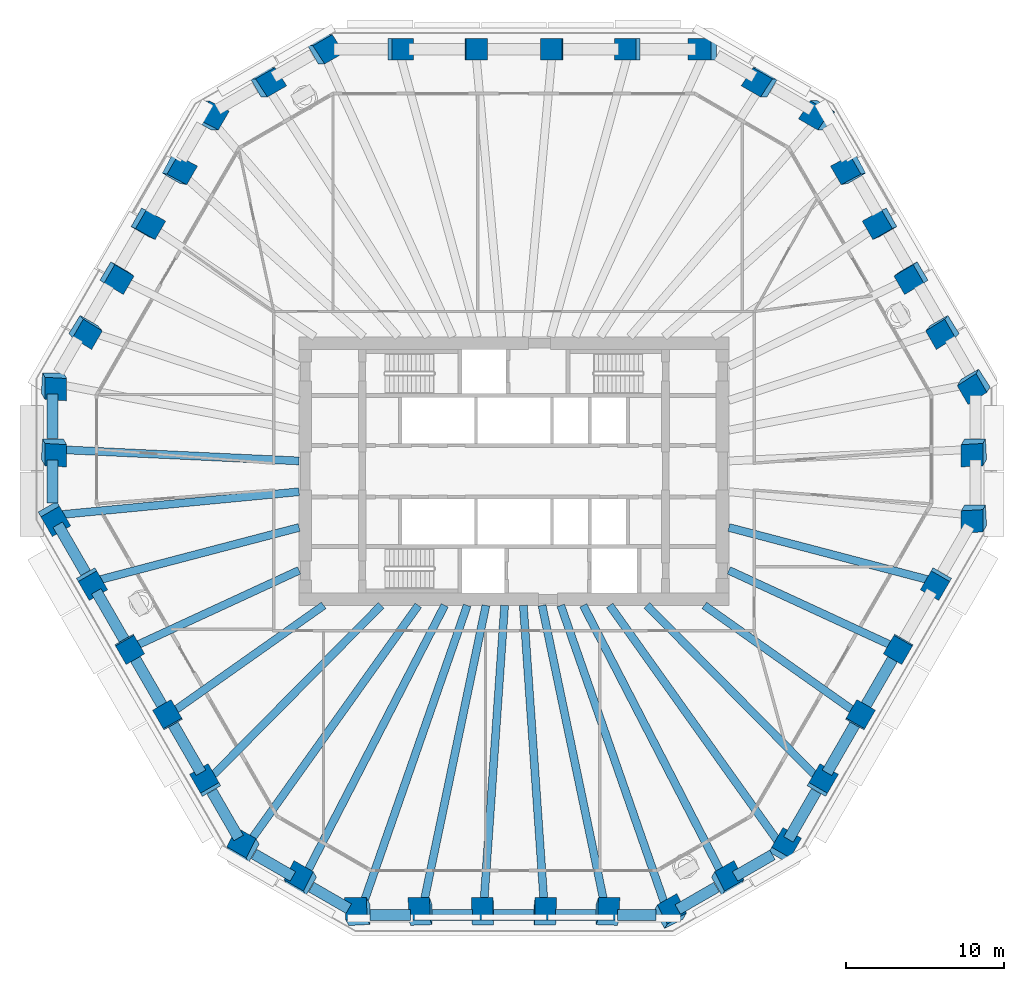
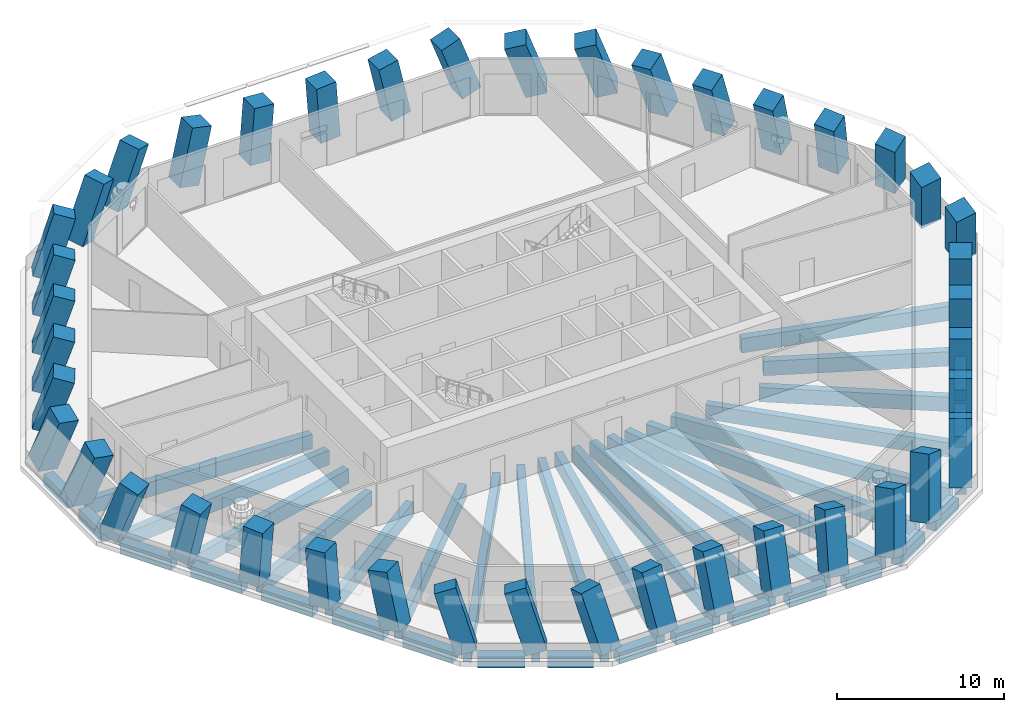
# One storey, part 1 of 12: 42 columns, 39 beams.
"""IFC4 building model written with IfcOpenShell, lengths in metres."""

from ifc_helpers import new_model, si_unit, direction, frame, origin, origin_2d, place, context, subcontext, project, spatial, rectangle, extrude, material, material_profile, profile_set, type_object, element, save


model = new_model("IFC4")

# Units and contexts
model_context = context("Model", 3, precision=1e-05, world=origin(), true_north=direction((0.0, 1.0)))
body_context = subcontext(model_context, "Body", "Model", "MODEL_VIEW")
ifc_project = project(units=[si_unit("LENGTHUNIT", "METRE"), si_unit("AREAUNIT", "SQUARE_METRE"), si_unit("VOLUMEUNIT", "CUBIC_METRE"), si_unit("PLANEANGLEUNIT", "RADIAN"), si_unit("MASSUNIT", "GRAM", prefix="KILO")], contexts=[model_context])

# Site, building, storey
site_placement = place(None, origin())
site = spatial("IfcSite", under=ifc_project, at=site_placement, CompositionType="ELEMENT")
building_placement = place(site_placement, origin())
building = spatial("IfcBuilding", under=site, at=building_placement, Name="Frailejon Research Tower", CompositionType="ELEMENT")
storey_placement = place(building_placement, frame((0.0, 0.0, 135.199951171875)))
storey = spatial("IfcBuildingStorey", under=building, at=storey_placement, Name="L29", CompositionType="ELEMENT", Elevation=135.199951171875)

# Columns
ifc_material_1 = material(Name="Concrete C70/85", Category="concrete")
ifc_material_profile_1 = material_profile(ifc_material_1, rectangle(XDim=1.35009765625, YDim=1.35009765625, at=origin_2d()), Name="Column 1350")
ifc_profile_set_1 = profile_set([ifc_material_profile_1], Name="Concrete C70/85")
column_type = type_object("IfcColumnType", Name="Column 1350", PredefinedType="COLUMN", material=ifc_profile_set_1)
for number, where, z_axis, x_axis, name in (
    (1, (29.211181640625, -2.8046875, 0.0), (-0.170585157577, -0.29544235916, 0.940007721473), (-0.052685125337, 0.955360564435, 0.290706844588), "Column C01"),
    (2, (29.211181640625, 1.3828125, 0.0), (-0.170585157577, -0.29544235916, 0.940007721473), (-0.052685125337, 0.955360564435, 0.290706844588), "Column C02"),
    (3, (29.211181640625, 5.5703125, 0.0), (-0.170588020232, -0.295390511225, 0.940023496106), (-0.536861857237, 0.827831363108, 0.162710111849), "Column C03"),
):
    element("IfcColumn", number, at=place(storey_placement, frame(where, z_axis=z_axis, x_axis=x_axis)), inside=storey, type_object=column_type, Name=name, PredefinedType="COLUMN", context=body_context, shape_type="SweptSolid", body=[
        extrude(rectangle(XDim=1.35009765625, YDim=1.35009765625, at=origin_2d()), origin(), (0.0, 0.0, 1.0), 4.2978515625),
    ])
column_1_placement = place(storey_placement, frame((27.2548828125, 8.958740234375, 0.0), z_axis=(-0.206604255639, -0.238543908815, 0.948900144967), x_axis=(-0.524107453988, 0.845931636481, 0.098544624791)))
element("IfcColumn", 4, at=column_1_placement, inside=storey, type_object=column_type, Name="Column C04", PredefinedType="COLUMN", context=body_context, shape_type="SweptSolid", body=[
    extrude(rectangle(XDim=1.35009765625, YDim=1.35009765625, at=origin_2d()), origin(), (0.0, 0.0, 1.0), 4.257568359375),
])
for number, where, z_axis, x_axis, name in (
    (5, (25.298583984375, 12.34716796875, 0.0), (-0.242216248762, -0.179760869681, 0.953423997268), (-0.508552704351, 0.860397321393, 0.033024176556), "Column C05"),
    (6, (23.34228515625, 15.735595703125, 0.0), (-0.276787116882, -0.119841216302, 0.953429061233), (-0.49068194142, 0.870713478182, -0.033004109981), "Column C06"),
):
    element("IfcColumn", number, at=place(storey_placement, frame(where, z_axis=z_axis, x_axis=x_axis)), inside=storey, type_object=column_type, Name=name, PredefinedType="COLUMN", context=body_context, shape_type="SweptSolid", body=[
        extrude(rectangle(XDim=1.35009765625, YDim=1.35009765625, at=origin_2d()), origin(), (0.0, 0.0, 1.0), 4.2373046875),
    ])
column_2_placement = place(storey_placement, frame((21.385986328125, 19.1240234375, 0.0), z_axis=(-0.309930766279, -0.059635152069, 0.948887015799), x_axis=(-0.470498954611, 0.8768780975, -0.098567417711)))
element("IfcColumn", 7, at=column_2_placement, inside=storey, type_object=column_type, Name="Column C07", PredefinedType="COLUMN", context=body_context, shape_type="SweptSolid", body=[
    extrude(rectangle(XDim=1.35009765625, YDim=1.35009765625, at=origin_2d()), origin(), (0.0, 0.0, 1.0), 4.257568359375),
])
for number, where, z_axis, x_axis, name in (
    (8, (19.4296875, 22.512451171875, 0.0), (-0.341168319262, 0.0, 0.940002222302), (-0.800987769493, 0.523358442363, -0.290713835121), "Column C08"),
    (9, (15.802978515625, 24.606201171875, 0.0), (-0.341118125037, 0.0, 0.940020438486), (-0.801003291734, 0.523358442363, -0.290671063987), "Column C09"),
    (10, (12.176513671875, 26.699951171875, 0.0), (-0.341118125037, 0.0, 0.940020438486), (-0.940020438486, 0.0, -0.341118125037), "Column C10"),
):
    element("IfcColumn", number, at=place(storey_placement, frame(where, z_axis=z_axis, x_axis=x_axis)), inside=storey, type_object=column_type, Name=name, PredefinedType="COLUMN", context=body_context, shape_type="SweptSolid", body=[
        extrude(rectangle(XDim=1.35009765625, YDim=1.35009765625, at=origin_2d()), origin(), (0.0, 0.0, 1.0), 4.2978515625),
    ])
column_3_placement = place(storey_placement, frame((7.305908203125, 26.699951171875, 0.0), z_axis=(-0.212745864356, 0.0, 0.977107566852), x_axis=(-0.977107566852, 0.0, -0.212745864356)))
element("IfcColumn", 11, at=column_3_placement, inside=storey, type_object=column_type, Name="Column C11", PredefinedType="COLUMN", context=body_context, shape_type="SweptSolid", body=[
    extrude(rectangle(XDim=1.35009765625, YDim=1.35009765625, at=origin_2d()), origin(), (0.0, 0.0, 1.0), 4.134765625),
])
for number, where, z_axis, x_axis, name in (
    (12, (2.435302734375, 26.699951171875, 0.0), (-0.07238780998, 0.0, 0.997376561268), (-0.997376561268, 0.0, -0.07238780998), "Column C12"),
    (13, (-2.435302734375, 26.699951171875, 0.0), (0.07238780998, 0.0, 0.997376561268), (-0.997376561268, 0.0, 0.07238780998), "Column C13"),
):
    element("IfcColumn", number, at=place(storey_placement, frame(where, z_axis=z_axis, x_axis=x_axis)), inside=storey, type_object=column_type, Name=name, PredefinedType="COLUMN", context=body_context, shape_type="SweptSolid", body=[
        extrude(rectangle(XDim=1.35009765625, YDim=1.35009765625, at=origin_2d()), origin(), (0.0, 0.0, 1.0), 4.060791015625),
    ])
column_4_placement = place(storey_placement, frame((-7.305908203125, 26.699951171875, 0.0), z_axis=(0.212745864356, 0.0, 0.977107566852), x_axis=(-0.977107566852, 0.0, 0.212745864356)))
element("IfcColumn", 14, at=column_4_placement, inside=storey, type_object=column_type, Name="Column C14", PredefinedType="COLUMN", context=body_context, shape_type="SweptSolid", body=[
    extrude(rectangle(XDim=1.35009765625, YDim=1.35009765625, at=origin_2d()), origin(), (0.0, 0.0, 1.0), 4.134765625),
])
for number, where, z_axis, x_axis, name in (
    (15, (-12.176513671875, 26.699951171875, 0.0), (0.341118125037, 0.0, 0.940020438486), (-0.80100500902, -0.523355467925, 0.290671687162), "Column C15"),
    (16, (-15.802978515625, 24.606201171875, 0.0), (0.341118125037, 0.0, 0.940020438486), (-0.801003291734, -0.523358442363, 0.290671063987), "Column C16"),
    (17, (-19.4296875, 22.512451171875, 0.0), (0.341168319262, 0.0, 0.940002222302), (-0.448380340539, -0.878903709295, 0.16273702715), "Column C17"),
):
    element("IfcColumn", number, at=place(storey_placement, frame(where, z_axis=z_axis, x_axis=x_axis)), inside=storey, type_object=column_type, Name=name, PredefinedType="COLUMN", context=body_context, shape_type="SweptSolid", body=[
        extrude(rectangle(XDim=1.35009765625, YDim=1.35009765625, at=origin_2d()), origin(), (0.0, 0.0, 1.0), 4.2978515625),
    ])
column_5_placement = place(storey_placement, frame((-21.385986328125, 19.1240234375, 0.0), z_axis=(0.309930766279, -0.059635152069, 0.948887015799), x_axis=(-0.470498954611, -0.8768780975, 0.098567417711)))
element("IfcColumn", 18, at=column_5_placement, inside=storey, type_object=column_type, Name="Column C18", PredefinedType="COLUMN", context=body_context, shape_type="SweptSolid", body=[
    extrude(rectangle(XDim=1.35009765625, YDim=1.35009765625, at=origin_2d()), origin(), (0.0, 0.0, 1.0), 4.257568359375),
])
for number, where, z_axis, x_axis, name in (
    (19, (-23.34228515625, 15.735595703125, 0.0), (0.276787116882, -0.119841216302, 0.953429061233), (-0.49068194142, -0.870713478182, 0.033004109981), "Column C19"),
    (20, (-25.298583984375, 12.34716796875, 0.0), (0.242216248762, -0.179760869681, 0.953423997268), (-0.508552704351, -0.860397321393, -0.033024176556), "Column C20"),
):
    element("IfcColumn", number, at=place(storey_placement, frame(where, z_axis=z_axis, x_axis=x_axis)), inside=storey, type_object=column_type, Name=name, PredefinedType="COLUMN", context=body_context, shape_type="SweptSolid", body=[
        extrude(rectangle(XDim=1.35009765625, YDim=1.35009765625, at=origin_2d()), origin(), (0.0, 0.0, 1.0), 4.2373046875),
    ])
column_6_placement = place(storey_placement, frame((-27.2548828125, 8.958740234375, 0.0), z_axis=(0.206604255639, -0.238543908815, 0.948900144967), x_axis=(-0.524107453988, -0.845931636481, -0.098544624791)))
element("IfcColumn", 21, at=column_6_placement, inside=storey, type_object=column_type, Name="Column C21", PredefinedType="COLUMN", context=body_context, shape_type="SweptSolid", body=[
    extrude(rectangle(XDim=1.35009765625, YDim=1.35009765625, at=origin_2d()), origin(), (0.0, 0.0, 1.0), 4.257568359375),
])
for number, where, z_axis, x_axis, name in (
    (22, (-29.211181640625, 5.5703125, 0.0), (0.170588020232, -0.295390511225, 0.940023496106), (-0.052628043506, -0.955376592381, -0.290664507236), "Column C22"),
    (23, (-29.211181640625, 1.3828125, 0.0), (0.170585157577, -0.29544235916, 0.940007721473), (-0.052685125337, -0.955360564435, -0.290706844588), "Column C23"),
    (24, (-29.211181640625, -2.8046875, 0.0), (0.170585157577, -0.29544235916, 0.940007721473), (0.470057714362, -0.814039471856, -0.341153167111), "Column C24"),
):
    element("IfcColumn", number, at=place(storey_placement, frame(where, z_axis=z_axis, x_axis=x_axis)), inside=storey, type_object=column_type, Name=name, PredefinedType="COLUMN", context=body_context, shape_type="SweptSolid", body=[
        extrude(rectangle(XDim=1.35009765625, YDim=1.35009765625, at=origin_2d()), origin(), (0.0, 0.0, 1.0), 4.2978515625),
    ])
column_7_placement = place(storey_placement, frame((-26.77587890625, -7.02294921875, 0.0), z_axis=(0.106402456539, -0.184226228858, 0.977107575369), x_axis=(0.488665296242, -0.846135593228, -0.212745825157)))
element("IfcColumn", 25, at=column_7_placement, inside=storey, type_object=column_type, Name="Column C25", PredefinedType="COLUMN", context=body_context, shape_type="SweptSolid", body=[
    extrude(rectangle(XDim=1.35009765625, YDim=1.35009765625, at=origin_2d()), origin(), (0.0, 0.0, 1.0), 4.134765625),
])
for number, where, z_axis, x_axis, name in (
    (26, (-24.340576171875, -11.240966796875, 0.0), (0.03619386332, -0.062707972497, 0.997375412993), (0.498665845075, -0.863765066122, -0.072403629074), "Column C26"),
    (27, (-21.9052734375, -15.458984375, 0.0), (-0.036193999713, 0.062648085882, 0.997379171489), (0.498790729762, -0.863697296382, 0.072351835683), "Column C27"),
):
    element("IfcColumn", number, at=place(storey_placement, frame(where, z_axis=z_axis, x_axis=x_axis)), inside=storey, type_object=column_type, Name=name, PredefinedType="COLUMN", context=body_context, shape_type="SweptSolid", body=[
        extrude(rectangle(XDim=1.35009765625, YDim=1.35009765625, at=origin_2d()), origin(), (0.0, 0.0, 1.0), 4.060791015625),
    ])
column_8_placement = place(storey_placement, frame((-19.469970703125, -19.677001953125, 0.0), z_axis=(-0.106344077619, 0.184227385992, 0.977113712628), x_axis=(0.488464961789, -0.846258346219, 0.21271763575)))
element("IfcColumn", 28, at=column_8_placement, inside=storey, type_object=column_type, Name="Column C28", PredefinedType="COLUMN", context=body_context, shape_type="SweptSolid", body=[
    extrude(rectangle(XDim=1.35009765625, YDim=1.35009765625, at=origin_2d()), origin(), (0.0, 0.0, 1.0), 4.134765625),
])
for number, where, z_axis, x_axis, name in (
    (29, (-17.03466796875, -23.895263671875, 0.0), (-0.170530004844, 0.295445221584, 0.940016828834), (0.853708362876, -0.432077398315, 0.29067361941), "Column C29"),
    (30, (-13.408203125, -25.989013671875, 0.0), (-0.170530004844, 0.295445221584, 0.940016828834), (0.853708362876, -0.432077398315, 0.29067361941), "Column C30"),
    (31, (-9.781494140625, -28.082763671875, 0.0), (-0.170585157577, 0.29544235916, 0.940007721473), (0.985342937257, 0.051151097258, 0.162735556185), "Column C31"),
):
    element("IfcColumn", number, at=place(storey_placement, frame(where, z_axis=z_axis, x_axis=x_axis)), inside=storey, type_object=column_type, Name=name, PredefinedType="COLUMN", context=body_context, shape_type="SweptSolid", body=[
        extrude(rectangle(XDim=1.35009765625, YDim=1.35009765625, at=origin_2d()), origin(), (0.0, 0.0, 1.0), 4.2978515625),
    ])
column_9_placement = place(storey_placement, frame((-5.868896484375, -28.082763671875, 0.0), z_axis=(-0.103272303322, 0.298233897599, 0.948889547676), x_axis=(0.994653115752, 0.030865690924, 0.09855195812)))
element("IfcColumn", 32, at=column_9_placement, inside=storey, type_object=column_type, Name="Column C32", PredefinedType="COLUMN", context=body_context, shape_type="SweptSolid", body=[
    extrude(rectangle(XDim=1.35009765625, YDim=1.35009765625, at=origin_2d()), origin(), (0.0, 0.0, 1.0), 4.257568359375),
])
for number, where, z_axis, x_axis, name in (
    (33, (-1.956298828125, -28.082763671875, 0.0), (-0.034569261171, 0.299657878914, 0.953420223085), (0.999402297158, 0.010249737548, 0.033015016516), "Column C33"),
    (34, (1.956298828125, -28.082763671875, 0.0), (0.034569261171, 0.299657878914, 0.953420223085), (0.999402297158, -0.010249737548, -0.033015016516), "Column C34"),
):
    element("IfcColumn", number, at=place(storey_placement, frame(where, z_axis=z_axis, x_axis=x_axis)), inside=storey, type_object=column_type, Name=name, PredefinedType="COLUMN", context=body_context, shape_type="SweptSolid", body=[
        extrude(rectangle(XDim=1.35009765625, YDim=1.35009765625, at=origin_2d()), origin(), (0.0, 0.0, 1.0), 4.2373046875),
    ])
column_10_placement = place(storey_placement, frame((5.868896484375, -28.082763671875, 0.0), z_axis=(0.103272303322, 0.298233897599, 0.948889547676), x_axis=(0.994653115752, -0.030865690924, -0.09855195812)))
element("IfcColumn", 35, at=column_10_placement, inside=storey, type_object=column_type, Name="Column C35", PredefinedType="COLUMN", context=body_context, shape_type="SweptSolid", body=[
    extrude(rectangle(XDim=1.35009765625, YDim=1.35009765625, at=origin_2d()), origin(), (0.0, 0.0, 1.0), 4.257568359375),
])
for number, where, z_axis, x_axis, name in (
    (36, (9.781494140625, -28.082763671875, 0.0), (0.170585157577, 0.29544235916, 0.940007721473), (0.853740167051, 0.431993664162, -0.290704663341), "Column C36"),
    (37, (13.408203125, -25.989013671875, 0.0), (0.170530004844, 0.295445221584, 0.940016828834), (0.853708362876, 0.432077398315, -0.29067361941), "Column C37"),
    (38, (17.03466796875, -23.895263671875, 0.0), (0.170530004844, 0.295445221584, 0.940016828834), (0.469944869442, 0.814115138244, -0.341128071796), "Column C38"),
):
    element("IfcColumn", number, at=place(storey_placement, frame(where, z_axis=z_axis, x_axis=x_axis)), inside=storey, type_object=column_type, Name=name, PredefinedType="COLUMN", context=body_context, shape_type="SweptSolid", body=[
        extrude(rectangle(XDim=1.35009765625, YDim=1.35009765625, at=origin_2d()), origin(), (0.0, 0.0, 1.0), 4.2978515625),
    ])
column_11_placement = place(storey_placement, frame((19.469970703125, -19.677001953125, 0.0), z_axis=(0.106344077619, 0.184227385992, 0.977113712628), x_axis=(0.488464961789, 0.846258346219, -0.21271763575)))
element("IfcColumn", 39, at=column_11_placement, inside=storey, type_object=column_type, Name="Column C39", PredefinedType="COLUMN", context=body_context, shape_type="SweptSolid", body=[
    extrude(rectangle(XDim=1.35009765625, YDim=1.35009765625, at=origin_2d()), origin(), (0.0, 0.0, 1.0), 4.134765625),
])
for number, where, z_axis, x_axis, name in (
    (40, (21.9052734375, -15.458984375, 0.0), (0.036193999713, 0.062648085882, 0.997379171489), (0.498790729762, 0.863697296382, -0.072351835683), "Column C40"),
    (41, (24.340576171875, -11.240966796875, 0.0), (-0.03619386332, -0.062707972497, 0.997375412993), (0.498665845075, 0.863765066122, 0.072403629074), "Column C41"),
):
    element("IfcColumn", number, at=place(storey_placement, frame(where, z_axis=z_axis, x_axis=x_axis)), inside=storey, type_object=column_type, Name=name, PredefinedType="COLUMN", context=body_context, shape_type="SweptSolid", body=[
        extrude(rectangle(XDim=1.35009765625, YDim=1.35009765625, at=origin_2d()), origin(), (0.0, 0.0, 1.0), 4.060791015625),
    ])
column_12_placement = place(storey_placement, frame((26.77587890625, -7.02294921875, 0.0), z_axis=(-0.106402456539, -0.184226228858, 0.977107575369), x_axis=(0.488665296242, 0.846135593228, 0.212745825157)))
element("IfcColumn", 42, at=column_12_placement, inside=storey, type_object=column_type, Name="Column C42", PredefinedType="COLUMN", context=body_context, shape_type="SweptSolid", body=[
    extrude(rectangle(XDim=1.35009765625, YDim=1.35009765625, at=origin_2d()), origin(), (0.0, 0.0, 1.0), 4.134765625),
])

# Beams
ifc_material_2 = material(Name="Concrete C60/75", Category="concrete")
ifc_material_profile_2 = material_profile(ifc_material_2, rectangle(XDim=0.5, YDim=1.050048828125, at=origin_2d()), Name="Girder 500x1050")
ifc_profile_set_2 = profile_set([ifc_material_profile_2], Name="Concrete C60/75")
beam_type_1 = type_object("IfcBeamType", Name="Girder 500x1050", PredefinedType="BEAM", material=ifc_profile_set_2)
beam_1_placement = place(storey_placement, frame((-28.685791015625, 1.35791015625, -0.824951171875), z_axis=(0.998881484069, -0.047284043646, 0.0), x_axis=(0.047284043646, 0.998881484069, 0.0)))
element("IfcBeam", 43, at=beam_1_placement, inside=storey, type_object=beam_type_1, Name="Girder 500x1050", PredefinedType="BEAM", context=body_context, shape_type="SweptSolid", body=[
    extrude(rectangle(XDim=0.5, YDim=1.050048828125, at=origin_2d()), origin(), (0.0, 0.0, 1.0), 15.1025390625),
])
beam_2_placement = place(storey_placement, frame((-28.621826171875, -2.748291015625, -0.824951171875), z_axis=(0.99542173633, 0.095580159246, 0.0), x_axis=(-0.095580159246, 0.99542173633, 0.0)))
element("IfcBeam", 44, at=beam_2_placement, inside=storey, type_object=beam_type_1, Name="Girder 500x1050", PredefinedType="BEAM", context=body_context, shape_type="SweptSolid", body=[
    extrude(rectangle(XDim=0.5, YDim=1.050048828125, at=origin_2d()), origin(), (0.0, 0.0, 1.0), 15.0908203125),
])
beam_3_placement = place(storey_placement, frame((-26.243896484375, -6.88330078125, -0.824951171875), z_axis=(0.967284207877, 0.253695213184, 0.0), x_axis=(-0.253695213184, 0.967284207877, 0.0)))
element("IfcBeam", 45, at=beam_3_placement, inside=storey, type_object=beam_type_1, Name="Girder 500x1050", PredefinedType="BEAM", context=body_context, shape_type="SweptSolid", body=[
    extrude(rectangle(XDim=0.5, YDim=1.050048828125, at=origin_2d()), origin(), (0.0, 0.0, 1.0), 13.071533203125),
])
beam_4_placement = place(storey_placement, frame((-23.861328125, -11.019775390625, -0.824951171875), z_axis=(0.907856308301, 0.419281437079, 0.0), x_axis=(-0.419281437079, 0.907856308301, 0.0)))
element("IfcBeam", 46, at=beam_4_placement, inside=storey, type_object=beam_type_1, Name="Girder 500x1050", PredefinedType="BEAM", context=body_context, shape_type="SweptSolid", body=[
    extrude(rectangle(XDim=0.5, YDim=1.050048828125, at=origin_2d()), origin(), (0.0, 0.0, 1.0), 11.302734375),
])
beam_5_placement = place(storey_placement, frame((-21.47412109375, -15.15478515625, -0.824951171875), z_axis=(0.817027654996, 0.576598483324, 0.0), x_axis=(-0.576598483324, 0.817027654996, 0.0)))
element("IfcBeam", 47, at=beam_5_placement, inside=storey, type_object=beam_type_1, Name="Girder 500x1050", PredefinedType="BEAM", context=body_context, shape_type="SweptSolid", body=[
    extrude(rectangle(XDim=0.5, YDim=1.050048828125, at=origin_2d()), origin(), (0.0, 0.0, 1.0), 11.54150390625),
])
beam_6_placement = place(storey_placement, frame((-19.083251953125, -19.286376953125, -0.824951171875), z_axis=(0.703356143864, 0.710837629061, 0.0), x_axis=(-0.710837629061, 0.703356143864, 0.0)))
element("IfcBeam", 48, at=beam_6_placement, inside=storey, type_object=beam_type_1, Name="Girder 500x1050", PredefinedType="BEAM", context=body_context, shape_type="SweptSolid", body=[
    extrude(rectangle(XDim=0.5, YDim=1.050048828125, at=origin_2d()), origin(), (0.0, 0.0, 1.0), 15.174072265625),
])
beam_7_placement = place(storey_placement, frame((-16.72802734375, -23.465087890625, -0.824951171875), z_axis=(0.580485243586, 0.814270766993, 0.0), x_axis=(-0.814270766993, 0.580485243586, 0.0)))
element("IfcBeam", 49, at=beam_7_placement, inside=storey, type_object=beam_type_1, Name="Girder 500x1050", PredefinedType="BEAM", context=body_context, shape_type="SweptSolid", body=[
    extrude(rectangle(XDim=0.5, YDim=1.050048828125, at=origin_2d()), origin(), (0.0, 0.0, 1.0), 18.37841796875),
])
beam_8_placement = place(storey_placement, frame((-13.1669921875, -25.521728515625, -0.824951171875), z_axis=(0.458491609966, 0.888698736125, 0.0), x_axis=(-0.888698736125, 0.458491609966, 0.0)))
element("IfcBeam", 50, at=beam_8_placement, inside=storey, type_object=beam_type_1, Name="Girder 500x1050", PredefinedType="BEAM", context=body_context, shape_type="SweptSolid", body=[
    extrude(rectangle(XDim=0.5, YDim=1.050048828125, at=origin_2d()), origin(), (0.0, 0.0, 1.0), 19.153564453125),
])
beam_9_placement = place(storey_placement, frame((-9.595703125, -27.549560546875, -0.824951171875), z_axis=(0.328921952058, 0.944357109072, 0.0), x_axis=(-0.944357109072, 0.328921952058, 0.0)))
element("IfcBeam", 51, at=beam_9_placement, inside=storey, type_object=beam_type_1, Name="Girder 500x1050", PredefinedType="BEAM", context=body_context, shape_type="SweptSolid", body=[
    extrude(rectangle(XDim=0.5, YDim=1.050048828125, at=origin_2d()), origin(), (0.0, 0.0, 1.0), 20.171875),
])
beam_10_placement = place(storey_placement, frame((-5.758544921875, -27.5546875, -0.824951171875), z_axis=(0.204567232752, 0.978852515594, 0.0), x_axis=(-0.978852515594, 0.204567232752, 0.0)))
element("IfcBeam", 52, at=beam_10_placement, inside=storey, type_object=beam_type_1, Name="Girder 500x1050", PredefinedType="BEAM", context=body_context, shape_type="SweptSolid", body=[
    extrude(rectangle(XDim=0.5, YDim=1.050048828125, at=origin_2d()), origin(), (0.0, 0.0, 1.0), 19.46630859375),
])
for number, where, z_axis, x_axis, name in (
    (53, (-1.919677734375, -27.557373046875, -0.824951171875), (0.069496814706, 0.99758217343, 0.0), (-0.99758217343, 0.069496814706, 0.0), "Girder 500x1050"),
    (54, (1.919677734375, -27.557373046875, -0.824951171875), (-0.069496814706, 0.99758217343, 0.0), (-0.99758217343, -0.069496814706, 0.0), "Girder 500x1050"),
):
    element("IfcBeam", number, at=place(storey_placement, frame(where, z_axis=z_axis, x_axis=x_axis)), inside=storey, type_object=beam_type_1, Name=name, PredefinedType="BEAM", context=body_context, shape_type="SweptSolid", body=[
        extrude(rectangle(XDim=0.5, YDim=1.050048828125, at=origin_2d()), origin(), (0.0, 0.0, 1.0), 19.103515625),
    ])
beam_11_placement = place(storey_placement, frame((5.758544921875, -27.5546875, -0.824951171875), z_axis=(-0.204567232752, 0.978852515594, 0.0), x_axis=(-0.978852515594, -0.204567232752, 0.0)))
element("IfcBeam", 55, at=beam_11_placement, inside=storey, type_object=beam_type_1, Name="Girder 500x1050", PredefinedType="BEAM", context=body_context, shape_type="SweptSolid", body=[
    extrude(rectangle(XDim=0.5, YDim=1.050048828125, at=origin_2d()), origin(), (0.0, 0.0, 1.0), 19.46630859375),
])
beam_12_placement = place(storey_placement, frame((9.604736328125, -27.575439453125, -0.824951171875), z_axis=(-0.328922813657, 0.944356808974, 0.0), x_axis=(-0.944356808974, -0.328922813657, 0.0)))
element("IfcBeam", 56, at=beam_12_placement, inside=storey, type_object=beam_type_1, Name="Girder 500x1050", PredefinedType="BEAM", context=body_context, shape_type="SweptSolid", body=[
    extrude(rectangle(XDim=0.5, YDim=1.050048828125, at=origin_2d()), origin(), (0.0, 0.0, 1.0), 20.199462890625),
])
beam_13_placement = place(storey_placement, frame((13.1669921875, -25.521728515625, -0.824951171875), z_axis=(-0.458491609966, 0.888698736125, 0.0), x_axis=(-0.888698736125, -0.458491609966, 0.0)))
element("IfcBeam", 57, at=beam_13_placement, inside=storey, type_object=beam_type_1, Name="Girder 500x1050", PredefinedType="BEAM", context=body_context, shape_type="SweptSolid", body=[
    extrude(rectangle(XDim=0.5, YDim=1.050048828125, at=origin_2d()), origin(), (0.0, 0.0, 1.0), 19.153564453125),
])
beam_14_placement = place(storey_placement, frame((16.69091796875, -23.4130859375, -0.824951171875), z_axis=(-0.580483878089, 0.81427174044, 0.0), x_axis=(-0.81427174044, -0.580483878089, 0.0)))
element("IfcBeam", 58, at=beam_14_placement, inside=storey, type_object=beam_type_1, Name="Girder 500x1050", PredefinedType="BEAM", context=body_context, shape_type="SweptSolid", body=[
    extrude(rectangle(XDim=0.5, YDim=1.050048828125, at=origin_2d()), origin(), (0.0, 0.0, 1.0), 18.314697265625),
])
beam_15_placement = place(storey_placement, frame((19.083251953125, -19.286376953125, -0.824951171875), z_axis=(-0.703356143864, 0.710837629061, 0.0), x_axis=(-0.710837629061, -0.703356143864, 0.0)))
element("IfcBeam", 59, at=beam_15_placement, inside=storey, type_object=beam_type_1, Name="Girder 500x1050", PredefinedType="BEAM", context=body_context, shape_type="SweptSolid", body=[
    extrude(rectangle(XDim=0.5, YDim=1.050048828125, at=origin_2d()), origin(), (0.0, 0.0, 1.0), 15.174072265625),
])
beam_16_placement = place(storey_placement, frame((21.47412109375, -15.15478515625, -0.824951171875), z_axis=(-0.817027654996, 0.576598483324, 0.0), x_axis=(-0.576598483324, -0.817027654996, 0.0)))
element("IfcBeam", 60, at=beam_16_placement, inside=storey, type_object=beam_type_1, Name="Girder 500x1050", PredefinedType="BEAM", context=body_context, shape_type="SweptSolid", body=[
    extrude(rectangle(XDim=0.5, YDim=1.050048828125, at=origin_2d()), origin(), (0.0, 0.0, 1.0), 11.54150390625),
])
beam_17_placement = place(storey_placement, frame((23.861328125, -11.019775390625, -0.824951171875), z_axis=(-0.907856308301, 0.419281437079, 0.0), x_axis=(-0.419281437079, -0.907856308301, 0.0)))
element("IfcBeam", 61, at=beam_17_placement, inside=storey, type_object=beam_type_1, Name="Girder 500x1050", PredefinedType="BEAM", context=body_context, shape_type="SweptSolid", body=[
    extrude(rectangle(XDim=0.5, YDim=1.050048828125, at=origin_2d()), origin(), (0.0, 0.0, 1.0), 11.302734375),
])
beam_18_placement = place(storey_placement, frame((26.243896484375, -6.88330078125, -0.824951171875), z_axis=(-0.967284207877, 0.253695213184, 0.0), x_axis=(-0.253695213184, -0.967284207877, 0.0)))
element("IfcBeam", 62, at=beam_18_placement, inside=storey, type_object=beam_type_1, Name="Girder 500x1050", PredefinedType="BEAM", context=body_context, shape_type="SweptSolid", body=[
    extrude(rectangle(XDim=0.5, YDim=1.050048828125, at=origin_2d()), origin(), (0.0, 0.0, 1.0), 13.071533203125),
])
ifc_material_3 = material(Name="Concrete C60/75", Category="concrete")
ifc_material_profile_3 = material_profile(ifc_material_3, rectangle(XDim=0.699951171875, YDim=0.800048828125, at=origin_2d()), Name="Spandrel 700x800")
ifc_profile_set_3 = profile_set([ifc_material_profile_3], Name="Concrete C60/75")
beam_type_2 = type_object("IfcBeamType", Name="Spandrel 700x800", PredefinedType="BEAM", material=ifc_profile_set_3)
beam_19_placement = place(storey_placement, frame((-29.211181640625, 4.895263671875, -0.75), z_axis=(0.0, -1.0, 0.0), x_axis=(1.0, 0.0, 0.0)))
element("IfcBeam", 63, at=beam_19_placement, inside=storey, type_object=beam_type_2, Name="Spandrel 700x800", PredefinedType="BEAM", context=body_context, shape_type="SweptSolid", body=[
    extrude(rectangle(XDim=0.699951171875, YDim=0.800048828125, at=origin_2d()), origin(), (0.0, 0.0, 1.0), 2.83740234375),
])
beam_20_placement = place(storey_placement, frame((-29.211181640625, 0.707763671875, -0.75), z_axis=(0.0, -1.0, 0.0), x_axis=(1.0, 0.0, 0.0)))
element("IfcBeam", 64, at=beam_20_placement, inside=storey, type_object=beam_type_2, Name="Spandrel 700x800", PredefinedType="BEAM", context=body_context, shape_type="SweptSolid", body=[
    extrude(rectangle(XDim=0.699951171875, YDim=0.800048828125, at=origin_2d()), origin(), (0.0, 0.0, 1.0), 2.733154296875),
])
beam_21_placement = place(storey_placement, frame((-28.87353515625, -3.389404296875, -0.75), z_axis=(0.500002592159, -0.866023907196, 0.0), x_axis=(0.866023907196, 0.500002592159, 0.0)))
element("IfcBeam", 65, at=beam_21_placement, inside=storey, type_object=beam_type_2, Name="Spandrel 700x800", PredefinedType="BEAM", context=body_context, shape_type="SweptSolid", body=[
    extrude(rectangle(XDim=0.699951171875, YDim=0.800048828125, at=origin_2d()), origin(), (0.0, 0.0, 1.0), 3.5205078125),
])
beam_22_placement = place(storey_placement, frame((-26.438232421875, -7.607421875, -0.75), z_axis=(0.499972564782, -0.866041242935, 0.0), x_axis=(0.866041242935, 0.499972564782, 0.0)))
element("IfcBeam", 66, at=beam_22_placement, inside=storey, type_object=beam_type_2, Name="Spandrel 700x800", PredefinedType="BEAM", context=body_context, shape_type="SweptSolid", body=[
    extrude(rectangle(XDim=0.699951171875, YDim=0.800048828125, at=origin_2d()), origin(), (0.0, 0.0, 1.0), 3.520751953125),
])
for number, where, z_axis, x_axis, name in (
    (67, (-24.0029296875, -11.82568359375, -0.75), (0.500002592159, -0.866023907196, 0.0), (0.866023907196, 0.500002592159, 0.0), "Spandrel 700x800"),
    (68, (-21.567626953125, -16.043701171875, -0.75), (0.500002592159, -0.866023907196, 0.0), (0.866023907196, 0.500002592159, 0.0), "Spandrel 700x800"),
):
    element("IfcBeam", number, at=place(storey_placement, frame(where, z_axis=z_axis, x_axis=x_axis)), inside=storey, type_object=beam_type_2, Name=name, PredefinedType="BEAM", context=body_context, shape_type="SweptSolid", body=[
        extrude(rectangle(XDim=0.699951171875, YDim=0.800048828125, at=origin_2d()), origin(), (0.0, 0.0, 1.0), 3.5205078125),
    ])
beam_23_placement = place(storey_placement, frame((-19.13232421875, -20.26171875, -0.75), z_axis=(0.499982281718, -0.866035633198, 0.0), x_axis=(0.866035633198, 0.499982281718, 0.0)))
element("IfcBeam", 69, at=beam_23_placement, inside=storey, type_object=beam_type_2, Name="Spandrel 700x800", PredefinedType="BEAM", context=body_context, shape_type="SweptSolid", body=[
    extrude(rectangle(XDim=0.699951171875, YDim=0.800048828125, at=origin_2d()), origin(), (0.0, 0.0, 1.0), 3.416015625),
])
beam_24_placement = place(storey_placement, frame((-16.449951171875, -24.232666015625, -0.75), z_axis=(0.865989280058, -0.500062562911, 0.0), x_axis=(0.500062562911, 0.865989280058, 0.0)))
element("IfcBeam", 70, at=beam_24_placement, inside=storey, type_object=beam_type_2, Name="Spandrel 700x800", PredefinedType="BEAM", context=body_context, shape_type="SweptSolid", body=[
    extrude(rectangle(XDim=0.699951171875, YDim=0.800048828125, at=origin_2d()), origin(), (0.0, 0.0, 1.0), 2.837646484375),
])
beam_25_placement = place(storey_placement, frame((-12.823486328125, -26.326416015625, -0.75), z_axis=(0.866002615699, -0.500039468044, 0.0), x_axis=(0.500039468044, 0.866002615699, 0.0)))
element("IfcBeam", 71, at=beam_25_placement, inside=storey, type_object=beam_type_2, Name="Spandrel 700x800", PredefinedType="BEAM", context=body_context, shape_type="SweptSolid", body=[
    extrude(rectangle(XDim=0.699951171875, YDim=0.800048828125, at=origin_2d()), origin(), (0.0, 0.0, 1.0), 2.733154296875),
])
for number, where, z_axis, x_axis, name in (
    (72, (-9.1064453125, -28.082763671875, -0.75), (1.0, 0.0, 0.0), (0.0, 1.0, 0.0), "Spandrel 700x800"),
    (73, (-5.19384765625, -28.082763671875, -0.75), (1.0, 0.0, 0.0), (0.0, 1.0, 0.0), "Spandrel 700x800"),
    (74, (-1.28125, -28.082763671875, -0.75), (1.0, 0.0, 0.0), (0.0, 1.0, 0.0), "Spandrel 700x800"),
    (75, (2.63134765625, -28.082763671875, -0.75), (1.0, 0.0, 0.0), (0.0, 1.0, 0.0), "Spandrel 700x800"),
):
    element("IfcBeam", number, at=place(storey_placement, frame(where, z_axis=z_axis, x_axis=x_axis)), inside=storey, type_object=beam_type_2, Name=name, PredefinedType="BEAM", context=body_context, shape_type="SweptSolid", body=[
        extrude(rectangle(XDim=0.699951171875, YDim=0.800048828125, at=origin_2d()), origin(), (0.0, 0.0, 1.0), 2.5625),
    ])
beam_26_placement = place(storey_placement, frame((6.5439453125, -28.082763671875, -0.75), z_axis=(1.0, 0.0, 0.0), x_axis=(0.0, 1.0, 0.0)))
element("IfcBeam", 76, at=beam_26_placement, inside=storey, type_object=beam_type_2, Name="Spandrel 700x800", PredefinedType="BEAM", context=body_context, shape_type="SweptSolid", body=[
    extrude(rectangle(XDim=0.699951171875, YDim=0.800048828125, at=origin_2d()), origin(), (0.0, 0.0, 1.0), 2.458251953125),
])
beam_27_placement = place(storey_placement, frame((10.3662109375, -27.745361328125, -0.75), z_axis=(0.865989280058, 0.500062562911, 0.0), x_axis=(-0.500062562911, 0.865989280058, 0.0)))
element("IfcBeam", 77, at=beam_27_placement, inside=storey, type_object=beam_type_2, Name="Spandrel 700x800", PredefinedType="BEAM", context=body_context, shape_type="SweptSolid", body=[
    extrude(rectangle(XDim=0.699951171875, YDim=0.800048828125, at=origin_2d()), origin(), (0.0, 0.0, 1.0), 2.837646484375),
])
beam_28_placement = place(storey_placement, frame((13.99267578125, -25.651611328125, -0.75), z_axis=(0.866002615699, 0.500039468044, 0.0), x_axis=(-0.500039468044, 0.866002615699, 0.0)))
element("IfcBeam", 78, at=beam_28_placement, inside=storey, type_object=beam_type_2, Name="Spandrel 700x800", PredefinedType="BEAM", context=body_context, shape_type="SweptSolid", body=[
    extrude(rectangle(XDim=0.699951171875, YDim=0.800048828125, at=origin_2d()), origin(), (0.0, 0.0, 1.0), 2.733154296875),
])
for number, where, z_axis, x_axis, name in (
    (79, (17.3720703125, -23.310546875, -0.75), (0.500002592159, 0.866023907196, 0.0), (-0.866023907196, 0.500002592159, 0.0), "Spandrel 700x800"),
    (80, (19.807373046875, -19.092529296875, -0.75), (0.500002592159, 0.866023907196, 0.0), (-0.866023907196, 0.500002592159, 0.0), "Spandrel 700x800"),
    (81, (22.24267578125, -14.87451171875, -0.75), (0.500002592159, 0.866023907196, 0.0), (-0.866023907196, 0.500002592159, 0.0), "Spandrel 700x800"),
):
    element("IfcBeam", number, at=place(storey_placement, frame(where, z_axis=z_axis, x_axis=x_axis)), inside=storey, type_object=beam_type_2, Name=name, PredefinedType="BEAM", context=body_context, shape_type="SweptSolid", body=[
        extrude(rectangle(XDim=0.699951171875, YDim=0.800048828125, at=origin_2d()), origin(), (0.0, 0.0, 1.0), 3.5205078125),
    ])

save(model, "model.ifc")
